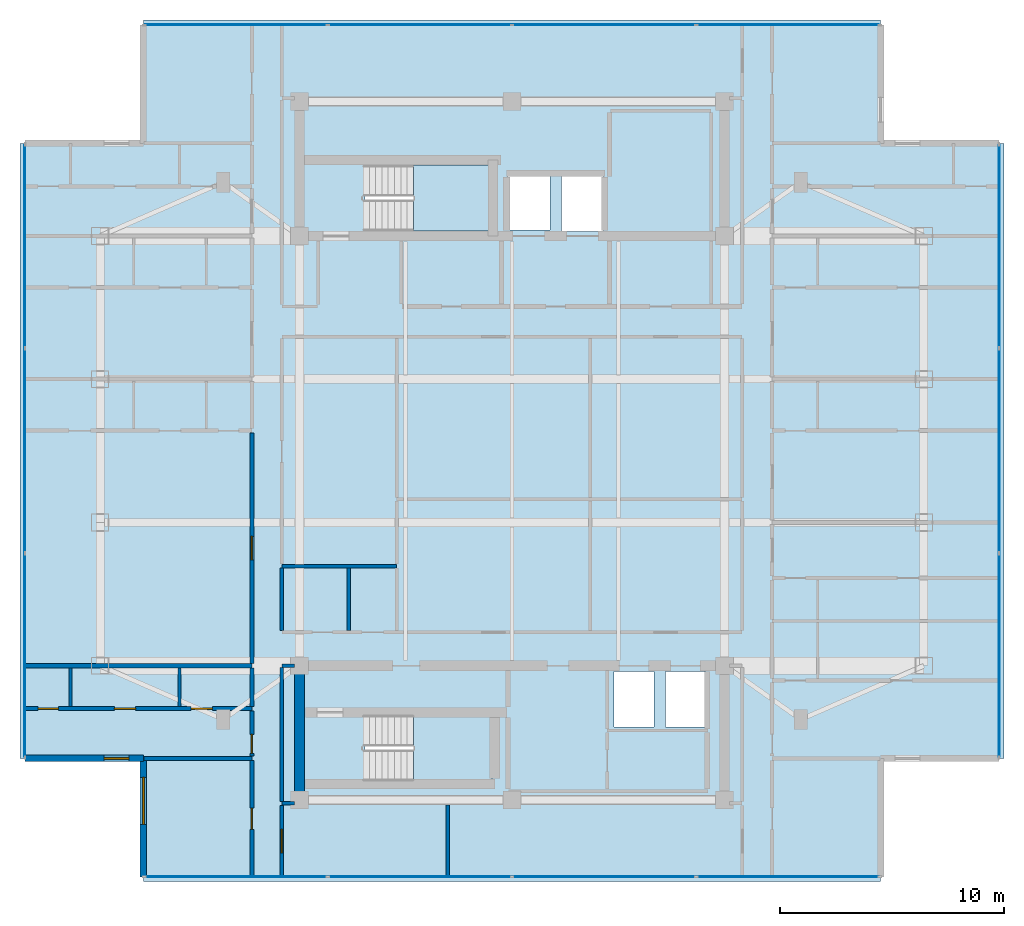
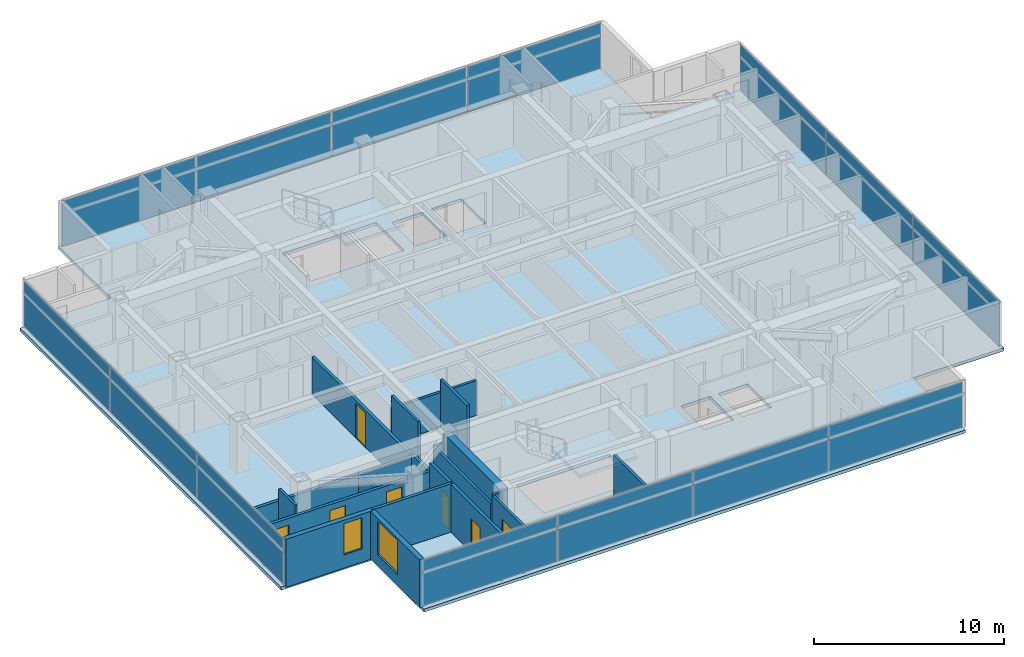
# One storey, part 7 of 14: 20 walls, 14 plates, 7 doors, 3 slabs, 2 windows, 9 openings, 6 elements without a shape of their own.
"""IFC4 building model written with IfcOpenShell, lengths in metres."""

from ifc_helpers import new_model, si_unit, direction, frame, frame_2d, origin, origin_2d, place, context, subcontext, project, spatial, polyline, rectangle, outline, extrude, material, layer, layer_set, type_object, element, fill, aggregate, save


model = new_model("IFC4")

# Units and contexts
model_context = context("Model", 3, precision=1e-05, world=origin(), true_north=direction((0.0, 1.0)))
body_context = subcontext(model_context, "Body", "Model", "MODEL_VIEW")
ifc_project = project(units=[si_unit("LENGTHUNIT", "METRE"), si_unit("AREAUNIT", "SQUARE_METRE"), si_unit("VOLUMEUNIT", "CUBIC_METRE"), si_unit("PLANEANGLEUNIT", "RADIAN"), si_unit("MASSUNIT", "GRAM", prefix="KILO")], contexts=[model_context])

# Site, building, storey
site_placement = place(None, origin())
site = spatial("IfcSite", under=ifc_project, at=site_placement, CompositionType="ELEMENT")
building_placement = place(site_placement, origin())
building = spatial("IfcBuilding", under=site, at=building_placement, Name="Mirazonda Arch Towers", CompositionType="ELEMENT")
storey_placement = place(building_placement, frame((0.0, 0.0, 239.199951171875)))
storey = spatial("IfcBuildingStorey", under=building, at=storey_placement, Name="L68", CompositionType="ELEMENT", Elevation=239.199951171875)

# Curtain wall, plates
ifc_material_1 = material(Name="Anodised Aluminium and Low-E Glass", Category="aluminium")
curtain_wall_type = type_object("IfcCurtainWallType", Name="CW-RES-UNIT", PredefinedType="NOTDEFINED", material=ifc_material_1)
curtain_wall_1_placement = place(storey_placement, origin())
curtain_wall_1 = element("IfcCurtainWall", 1, at=curtain_wall_1_placement, inside=storey, type_object=curtain_wall_type, Name="L68 T1 S Facade CW-L68-T1-S", PredefinedType="NOTDEFINED")
ifc_material_2 = material(Name="Insulated Low-E Solar Glass", Category="glass")
ifc_layer_1 = layer(ifc_material_2, 0.0400390625, Name="PAN-CW-RES-UNIT")
ifc_layer_set_1 = layer_set([ifc_layer_1], Name="Insulated Low-E Solar Glass")
plate_type = type_object("IfcPlateType", Name="PAN-CW-RES-UNIT", PredefinedType="CURTAIN_PANEL", material=ifc_layer_set_1)
plate_1_placement = place(storey_placement, frame((32.833740234375, 8.971923828125, 0.0751953125), z_axis=(0.0, 0.0, 1.0), x_axis=(-1.0, 0.0, 0.0)))
plate_1 = element("IfcPlate", 2, at=plate_1_placement, type_object=plate_type, Name="CW-104 panel 1.1", PredefinedType="CURTAIN_PANEL", context=body_context, shape_type="SweptSolid", body=[
    extrude(rectangle(XDim=8.12255859375, YDim=0.0400390625, at=origin_2d()), origin(), (0.0, 0.0, 1.0), 2.929931640625),
])
plate_2_placement = place(storey_placement, frame((24.617431640625, 8.971923828125, 0.0751953125), z_axis=(0.0, 0.0, 1.0), x_axis=(-1.0, 0.0, 0.0)))
plate_2 = element("IfcPlate", 3, at=plate_2_placement, type_object=plate_type, Name="CW-104 panel 2.1", PredefinedType="CURTAIN_PANEL", context=body_context, shape_type="SweptSolid", body=[
    extrude(rectangle(XDim=8.159912109375, YDim=0.0400390625, at=origin_2d()), origin(), (0.0, 0.0, 1.0), 2.929931640625),
])
plate_3_placement = place(storey_placement, frame((16.382568359375, 8.971923828125, 0.0751953125), z_axis=(0.0, 0.0, 1.0), x_axis=(-1.0, 0.0, 0.0)))
plate_3 = element("IfcPlate", 4, at=plate_3_placement, type_object=plate_type, Name="CW-104 panel 3.1", PredefinedType="CURTAIN_PANEL", context=body_context, shape_type="SweptSolid", body=[
    extrude(rectangle(XDim=8.159912109375, YDim=0.0400390625, at=origin_2d()), origin(), (0.0, 0.0, 1.0), 2.929931640625),
])
plate_4_placement = place(storey_placement, frame((8.166259765625, 8.971923828125, 0.0751953125), z_axis=(0.0, 0.0, 1.0), x_axis=(-1.0, 0.0, 0.0)))
plate_4 = element("IfcPlate", 5, at=plate_4_placement, type_object=plate_type, Name="CW-104 panel 4.1", PredefinedType="CURTAIN_PANEL", context=body_context, shape_type="SweptSolid", body=[
    extrude(rectangle(XDim=8.12255859375, YDim=0.0400390625, at=origin_2d()), origin(), (0.0, 0.0, 1.0), 2.929931640625),
])
aggregate(curtain_wall_1, [plate_1, plate_2, plate_3, plate_4])

curtain_wall_2_placement = place(storey_placement, origin())
curtain_wall_2 = element("IfcCurtainWall", 6, at=curtain_wall_2_placement, inside=storey, type_object=curtain_wall_type, Name="L68 T1 E Facade CW-L68-T1-E", PredefinedType="NOTDEFINED")
plate_5_placement = place(storey_placement, frame((42.260009765625, 18.860107421875, 0.0751953125), z_axis=(0.0, 0.0, 1.0), x_axis=(0.0, 1.0, 0.0)))
plate_5 = element("IfcPlate", 7, at=plate_5_placement, type_object=plate_type, Name="CW-104 panel 1.1", PredefinedType="CURTAIN_PANEL", context=body_context, shape_type="SweptSolid", body=[
    extrude(rectangle(XDim=9.046142578125, YDim=0.0400390625, at=origin_2d()), origin(), (0.0, 0.0, 1.0), 2.929931640625),
])
plate_6_placement = place(storey_placement, frame((42.260009765625, 28.0, 0.0751953125), z_axis=(0.0, 0.0, 1.0), x_axis=(0.0, 1.0, 0.0)))
plate_6 = element("IfcPlate", 8, at=plate_6_placement, type_object=plate_type, Name="CW-104 panel 2.1", PredefinedType="CURTAIN_PANEL", context=body_context, shape_type="SweptSolid", body=[
    extrude(rectangle(XDim=9.083740234375, YDim=0.0400390625, at=origin_2d()), origin(), (0.0, 0.0, 1.0), 2.929931640625),
])
plate_7_placement = place(storey_placement, frame((42.260009765625, 37.139892578125, 0.0751953125), z_axis=(0.0, 0.0, 1.0), x_axis=(0.0, 1.0, 0.0)))
plate_7 = element("IfcPlate", 9, at=plate_7_placement, type_object=plate_type, Name="CW-104 panel 3.1", PredefinedType="CURTAIN_PANEL", context=body_context, shape_type="SweptSolid", body=[
    extrude(rectangle(XDim=9.046142578125, YDim=0.0400390625, at=origin_2d()), origin(), (0.0, 0.0, 1.0), 2.929931640625),
])
aggregate(curtain_wall_2, [plate_5, plate_6, plate_7])

curtain_wall_3_placement = place(storey_placement, origin())
curtain_wall_3 = element("IfcCurtainWall", 10, at=curtain_wall_3_placement, inside=storey, type_object=curtain_wall_type, Name="L68 T1 N Facade CW-L68-T1-N", PredefinedType="NOTDEFINED")
plate_8_placement = place(storey_placement, frame((8.166259765625, 47.028076171875, 0.0751953125), z_axis=(0.0, 0.0, 1.0), x_axis=(1.0, 0.0, 0.0)))
plate_8 = element("IfcPlate", 11, at=plate_8_placement, type_object=plate_type, Name="CW-104 panel 1.1", PredefinedType="CURTAIN_PANEL", context=body_context, shape_type="SweptSolid", body=[
    extrude(rectangle(XDim=8.12255859375, YDim=0.0400390625, at=origin_2d()), origin(), (0.0, 0.0, 1.0), 2.929931640625),
])
plate_9_placement = place(storey_placement, frame((16.382568359375, 47.028076171875, 0.0751953125), z_axis=(0.0, 0.0, 1.0), x_axis=(1.0, 0.0, 0.0)))
plate_9 = element("IfcPlate", 12, at=plate_9_placement, type_object=plate_type, Name="CW-104 panel 2.1", PredefinedType="CURTAIN_PANEL", context=body_context, shape_type="SweptSolid", body=[
    extrude(rectangle(XDim=8.159912109375, YDim=0.0400390625, at=origin_2d()), origin(), (0.0, 0.0, 1.0), 2.929931640625),
])
plate_10_placement = place(storey_placement, frame((24.617431640625, 47.028076171875, 0.0751953125), z_axis=(0.0, 0.0, 1.0), x_axis=(1.0, 0.0, 0.0)))
plate_10 = element("IfcPlate", 13, at=plate_10_placement, type_object=plate_type, Name="CW-104 panel 3.1", PredefinedType="CURTAIN_PANEL", context=body_context, shape_type="SweptSolid", body=[
    extrude(rectangle(XDim=8.159912109375, YDim=0.0400390625, at=origin_2d()), origin(), (0.0, 0.0, 1.0), 2.929931640625),
])
plate_11_placement = place(storey_placement, frame((32.833740234375, 47.028076171875, 0.0751953125), z_axis=(0.0, 0.0, 1.0), x_axis=(1.0, 0.0, 0.0)))
plate_11 = element("IfcPlate", 14, at=plate_11_placement, type_object=plate_type, Name="CW-104 panel 4.1", PredefinedType="CURTAIN_PANEL", context=body_context, shape_type="SweptSolid", body=[
    extrude(rectangle(XDim=8.12255859375, YDim=0.0400390625, at=origin_2d()), origin(), (0.0, 0.0, 1.0), 2.929931640625),
])
aggregate(curtain_wall_3, [plate_8, plate_9, plate_10, plate_11])

curtain_wall_4_placement = place(storey_placement, origin())
curtain_wall_4 = element("IfcCurtainWall", 15, at=curtain_wall_4_placement, inside=storey, type_object=curtain_wall_type, Name="L68 T1 W Facade CW-L68-T1-W", PredefinedType="NOTDEFINED")
plate_12_placement = place(storey_placement, frame((-1.260009765625, 37.139892578125, 0.0751953125), z_axis=(0.0, 0.0, 1.0), x_axis=(0.0, -1.0, 0.0)))
plate_12 = element("IfcPlate", 16, at=plate_12_placement, type_object=plate_type, Name="CW-104 panel 1.1", PredefinedType="CURTAIN_PANEL", context=body_context, shape_type="SweptSolid", body=[
    extrude(rectangle(XDim=9.046142578125, YDim=0.0400390625, at=origin_2d()), origin(), (0.0, 0.0, 1.0), 2.929931640625),
])
plate_13_placement = place(storey_placement, frame((-1.260009765625, 28.0, 0.0751953125), z_axis=(0.0, 0.0, 1.0), x_axis=(0.0, -1.0, 0.0)))
plate_13 = element("IfcPlate", 17, at=plate_13_placement, type_object=plate_type, Name="CW-104 panel 2.1", PredefinedType="CURTAIN_PANEL", context=body_context, shape_type="SweptSolid", body=[
    extrude(rectangle(XDim=9.083740234375, YDim=0.0400390625, at=origin_2d()), origin(), (0.0, 0.0, 1.0), 2.929931640625),
])
plate_14_placement = place(storey_placement, frame((-1.260009765625, 18.860107421875, 0.0751953125), z_axis=(0.0, 0.0, 1.0), x_axis=(0.0, -1.0, 0.0)))
plate_14 = element("IfcPlate", 18, at=plate_14_placement, type_object=plate_type, Name="CW-104 panel 3.1", PredefinedType="CURTAIN_PANEL", context=body_context, shape_type="SweptSolid", body=[
    extrude(rectangle(XDim=9.046142578125, YDim=0.0400390625, at=origin_2d()), origin(), (0.0, 0.0, 1.0), 2.929931640625),
])
aggregate(curtain_wall_4, [plate_12, plate_13, plate_14])

# Stair, slab
ifc_material_3 = material(Name="Concrete C40/50", Category="concrete")
stair_type = type_object("IfcStairType", Name="STAIR-CORE-1400", PredefinedType="HALF_TURN_STAIR", material=ifc_material_3)
stair_1_placement = place(storey_placement, origin())
stair_1 = element("IfcStair", 19, at=stair_1_placement, inside=storey, type_object=stair_type, Name="L68 Protected Exit Stair ST-T1N", PredefinedType="HALF_TURN_STAIR")
ifc_layer_2 = layer(ifc_material_3, 0.18994140625, Name="SLAB-LANDING-190")
ifc_layer_set_2 = layer_set([ifc_layer_2], Name="Concrete C40/50")
slab_type_1 = type_object("IfcSlabType", Name="SLAB-LANDING-190", PredefinedType="LANDING", material=ifc_layer_set_2)
slab_1_placement = place(storey_placement, frame((0.0, 0.0, 1.449951171875)))
slab_1 = element("IfcSlab", 20, at=slab_1_placement, type_object=slab_type_1, Name="ST-T1N landing 1", PredefinedType="LANDING", context=body_context, shape_type="SweptSolid", body=[
    extrude(outline(polyline([(16.090087890625, 37.820068359375), (19.60009765625, 37.820068359375), (19.60009765625, 40.760009765625), (16.090087890625, 40.760009765625), (16.090087890625, 37.820068359375)])), origin(), (0.0, 0.0, 1.0), 0.2001953125),
])
aggregate(stair_1, [slab_1])

stair_2_placement = place(storey_placement, origin())
stair_2 = element("IfcStair", 21, at=stair_2_placement, inside=storey, type_object=stair_type, Name="L68 Protected Exit Stair ST-T1S", PredefinedType="HALF_TURN_STAIR")
slab_2_placement = place(storey_placement, frame((0.0, 0.0, 1.449951171875)))
slab_2 = element("IfcSlab", 22, at=slab_2_placement, type_object=slab_type_1, Name="ST-T1S landing 1", PredefinedType="LANDING", context=body_context, shape_type="SweptSolid", body=[
    extrude(outline(polyline([(16.090087890625, 13.25), (19.60009765625, 13.25), (19.60009765625, 16.18994140625), (16.090087890625, 16.18994140625), (16.090087890625, 13.25)])), origin(), (0.0, 0.0, 1.0), 0.2001953125),
])
aggregate(stair_2, [slab_2])

# Slab
ifc_layer_3 = layer(ifc_material_3, 0.199951171875, Name="SLAB-TWR-200")
ifc_layer_set_3 = layer_set([ifc_layer_3], Name="Concrete C40/50")
slab_type_2 = type_object("IfcSlabType", Name="SLAB-TWR-200", PredefinedType="FLOOR", material=ifc_layer_set_3)
slab_3_placement = place(storey_placement, frame((0.0, 0.0, -0.199951171875)))
element("IfcSlab", 23, at=slab_3_placement, inside=storey, type_object=slab_type_2, Name="L68 Tower 1 Floor Slab", PredefinedType="FLOOR", context=body_context, shape_type="SweptSolid", body=[
    extrude(outline(polyline([(4.030029296875, 8.751953125), (36.969970703125, 8.751953125), (36.969970703125, 14.261962890625), (42.47998046875, 14.261962890625), (42.47998046875, 41.738037109375), (36.969970703125, 41.738037109375), (36.969970703125, 47.248046875), (4.030029296875, 47.248046875), (4.030029296875, 41.738037109375), (-1.47998046875, 41.738037109375), (-1.47998046875, 14.261962890625), (4.030029296875, 14.261962890625), (4.030029296875, 8.751953125)]), holes=[polyline([(27.360107421875, 18.139892578125), (29.139892578125, 18.139892578125), (29.139892578125, 15.659912109375), (27.360107421875, 15.659912109375), (27.360107421875, 18.139892578125)]), polyline([(25.06005859375, 18.139892578125), (26.840087890625, 18.139892578125), (26.840087890625, 15.659912109375), (25.06005859375, 15.659912109375), (25.06005859375, 18.139892578125)]), polyline([(22.7099609375, 40.389892578125), (24.590087890625, 40.389892578125), (24.590087890625, 37.81005859375), (22.7099609375, 37.81005859375), (22.7099609375, 40.389892578125)]), polyline([(20.31005859375, 37.860107421875), (20.31005859375, 40.340087890625), (22.18994140625, 40.340087890625), (22.18994140625, 37.860107421875), (20.31005859375, 37.860107421875)]), polyline([(19.60009765625, 13.25), (13.925048828125, 13.25), (13.925048828125, 16.18994140625), (19.60009765625, 16.18994140625), (19.60009765625, 13.25)]), polyline([(13.925048828125, 37.820068359375), (13.925048828125, 40.760009765625), (19.60009765625, 40.760009765625), (19.60009765625, 37.820068359375), (13.925048828125, 37.820068359375)])]), origin(), (0.0, 0.0, 1.0), 0.199951171875),
])

# Wall
ifc_material_4 = material(Name="Concrete C50/60", Category="concrete")
ifc_layer_4 = layer(ifc_material_4, 0.449951171875, Name="WALL-CORE-450")
ifc_layer_set_4 = layer_set([ifc_layer_4], Name="Concrete C50/60")
wall_type_1 = type_object("IfcWallType", Name="WALL-CORE-450", PredefinedType="SHEAR", material=ifc_layer_set_4)
wall_1_placement = place(storey_placement, frame((11.0, 12.39990234375, 0.0), z_axis=(0.0, 0.0, 1.0), x_axis=(0.0, 1.0, 0.0)))
element("IfcWall", 24, at=wall_1_placement, inside=storey, type_object=wall_type_1, Name="L68 T1S-W Core Shear Wall", PredefinedType="SHEAR", context=body_context, shape_type="SweptSolid", body=[
    extrude(rectangle(XDim=6.0, YDim=0.449951171875, at=frame_2d((3.0, 0.0))), origin(), (0.0, 0.0, 1.0), 3.10009765625),
])

# Wall, opening, window
ifc_material_5 = material(Name="Precast Concrete C40/50", Category="concrete")
ifc_layer_5 = layer(ifc_material_5, 0.280029296875, Name="WALL-EXT-WALL-280")
ifc_layer_set_5 = layer_set([ifc_layer_5], Name="Precast Concrete C40/50")
wall_type_2 = type_object("IfcWallType", Name="WALL-EXT-WALL-280", PredefinedType="SOLIDWALL", material=ifc_layer_set_5)
wall_2_placement = place(storey_placement, frame((4.030029296875, 14.261962890625, 0.0), z_axis=(0.0, 0.0, 1.0), x_axis=(0.0, -1.0, 0.0)))
wall_2 = element("IfcWall", 25, at=wall_2_placement, inside=storey, type_object=wall_type_2, Name="L68 T1 Notched SW Corner Wall WL-L68-T1-CSW", PredefinedType="SOLIDWALL", context=body_context, shape_type="SweptSolid", body=[
    extrude(rectangle(XDim=5.2900390625, YDim=0.280029296875, at=frame_2d((2.64501953125, 0.0))), origin(), (0.0, 0.0, 1.0), 3.080078125),
])
opening_1_placement = place(wall_2_placement, frame((0.85009765625, 0.0, 0.72998046875)))
opening_1 = element("IfcOpeningElement", 26, at=opening_1_placement, cuts=wall_2, Name="Opening WN-117", PredefinedType="OPENING", context=body_context, shape_type="SweptSolid", body=[
    extrude(rectangle(XDim=2.10009765625, YDim=2.199951171875, at=frame_2d((1.050048828125, 1.10009765625))), frame((0.0, 0.14990234375, 0.0), z_axis=(0.0, -1.0, 0.0), x_axis=(1.0, 0.0, 0.0)), (0.0, 0.0, 1.0), 0.300048828125),
])
window_type_1 = type_object("IfcWindowType", Name="WIN-RES-2100x2200", PartitioningType="SINGLE_PANEL", PredefinedType="WINDOW", material=ifc_material_2)
window_1_placement = place(opening_1_placement, origin())
window_1 = element("IfcWindow", 27, at=window_1_placement, inside=storey, type_object=window_type_1, Name="L68 Punched Facade Window WN-L68-T1-CSW", OverallHeight=2.199951171875, OverallWidth=2.10009765625, PartitioningType="SINGLE_PANEL", PredefinedType="WINDOW", context=body_context, shape_type="SweptSolid", body=[
    extrude(rectangle(XDim=2.10009765625, YDim=2.199951171875, at=frame_2d((1.050048828125, 1.10009765625))), frame((0.0, 0.030029296875, 0.0), z_axis=(0.0, -1.0, 0.0), x_axis=(1.0, 0.0, 0.0)), (0.0, 0.0, 1.0), 0.06005859375),
])
fill(opening_1, window_1)

wall_3_placement = place(storey_placement, frame((-1.260009765625, 14.261962890625, 0.0), z_axis=(0.0, 0.0, 1.0), x_axis=(1.0, 0.0, 0.0)))
wall_3 = element("IfcWall", 28, at=wall_3_placement, inside=storey, type_object=wall_type_2, Name="L68 T1 Corner Notch Return Wall WL-L68-T1-CSW2", PredefinedType="SOLIDWALL", context=body_context, shape_type="SweptSolid", body=[
    extrude(rectangle(XDim=5.2900390625, YDim=0.280029296875, at=frame_2d((2.64501953125, 0.0))), origin(), (0.0, 0.0, 1.0), 3.080078125),
])
opening_2_placement = place(wall_3_placement, frame((3.5400390625, 0.0, 0.85009765625)))
opening_2 = element("IfcOpeningElement", 29, at=opening_2_placement, cuts=wall_3, Name="Opening WN-108", PredefinedType="OPENING", context=body_context, shape_type="SweptSolid", body=[
    extrude(rectangle(XDim=1.10009765625, YDim=2.0, at=frame_2d((0.550048828125, 1.0))), frame((0.0, 0.14990234375, 0.0), z_axis=(0.0, -1.0, 0.0), x_axis=(1.0, 0.0, 0.0)), (0.0, 0.0, 1.0), 0.300048828125),
])
window_type_2 = type_object("IfcWindowType", Name="WIN-NOTCH-1100x2000", PartitioningType="SINGLE_PANEL", PredefinedType="WINDOW", material=ifc_material_2)
window_2_placement = place(opening_2_placement, origin())
window_2 = element("IfcWindow", 30, at=window_2_placement, inside=storey, type_object=window_type_2, Name="L68 Punched Facade Window WN-L68-T1-CSW2", OverallHeight=2.0, OverallWidth=1.10009765625, PartitioningType="SINGLE_PANEL", PredefinedType="WINDOW", context=body_context, shape_type="SweptSolid", body=[
    extrude(rectangle(XDim=1.10009765625, YDim=2.0, at=frame_2d((0.550048828125, 1.0))), frame((0.0, 0.030029296875, 0.0), z_axis=(0.0, -1.0, 0.0), x_axis=(1.0, 0.0, 0.0)), (0.0, 0.0, 1.0), 0.06005859375),
])
fill(opening_2, window_2)

# Walls
ifc_material_6 = material(Name="Fire-Rated Gypsum Stud Partition")
ifc_layer_6 = layer(ifc_material_6, 0.14990234375, Name="WALL-PART-CORR-150")
ifc_layer_set_6 = layer_set([ifc_layer_6], Name="Fire-Rated Gypsum Stud Partition")
wall_type_3 = type_object("IfcWallType", Name="WALL-PART-CORR-150", PredefinedType="PARTITIONING", material=ifc_layer_set_6)
wall_4_placement = place(storey_placement, frame((10.219970703125, 12.25, 0.0), z_axis=(0.0, 0.0, 1.0), x_axis=(1.0, 0.0, 0.0)))
element("IfcWall", 31, at=wall_4_placement, inside=storey, type_object=wall_type_3, Name="L68 Interior Partition 001", PredefinedType="PARTITIONING", context=body_context, shape_type="SweptSolid", body=[
    extrude(rectangle(XDim=0.56005859375, YDim=0.14990234375, at=frame_2d((0.280029296875, 0.0))), origin(), (0.0, 0.0, 1.0), 3.10009765625),
])
wall_5_placement = place(storey_placement, frame((10.219970703125, 18.39990234375, 0.0), z_axis=(0.0, 0.0, 1.0), x_axis=(1.0, 0.0, 0.0)))
element("IfcWall", 32, at=wall_5_placement, inside=storey, type_object=wall_type_3, Name="L68 Interior Partition 012", PredefinedType="PARTITIONING", context=body_context, shape_type="SweptSolid", body=[
    extrude(rectangle(XDim=0.56005859375, YDim=0.14990234375, at=frame_2d((0.280029296875, 0.0))), origin(), (0.0, 0.0, 1.0), 2.491943359375),
])
wall_6_placement = place(storey_placement, frame((10.219970703125, 22.85009765625, 0.0), z_axis=(0.0, 0.0, 1.0), x_axis=(1.0, 0.0, 0.0)))
element("IfcWall", 33, at=wall_6_placement, inside=storey, type_object=wall_type_3, Name="L68 Interior Partition 017", PredefinedType="PARTITIONING", context=body_context, shape_type="SweptSolid", body=[
    extrude(rectangle(XDim=5.130126953125, YDim=0.14990234375, at=frame_2d((2.56494140625, 0.0))), origin(), (0.0, 0.0, 1.0), 2.236083984375),
])

# Wall, opening, door
wall_7_placement = place(storey_placement, frame((10.219970703125, 8.971923828125, 0.0), z_axis=(0.0, 0.0, 1.0), x_axis=(0.0, 1.0, 0.0)))
wall_7 = element("IfcWall", 34, at=wall_7_placement, inside=storey, type_object=wall_type_3, Name="L68 Interior Partition 057", PredefinedType="PARTITIONING", context=body_context, shape_type="SweptSolid", body=[
    extrude(rectangle(XDim=3.193115234375, YDim=0.14990234375, at=frame_2d((1.5966796875, 0.0))), origin(), (0.0, 0.0, 1.0), 3.10009765625),
])
opening_3_placement = place(wall_7_placement, frame((1.071533203125, 0.0, 0.0)))
opening_3 = element("IfcOpeningElement", 35, at=opening_3_placement, cuts=wall_7, Name="Opening DR-121", PredefinedType="OPENING", context=body_context, shape_type="SweptSolid", body=[
    extrude(rectangle(XDim=1.050048828125, YDim=2.199951171875, at=frame_2d((0.52490234375, 1.10009765625))), frame((0.0, 0.0849609375, 0.0), z_axis=(0.0, -1.0, 0.0), x_axis=(1.0, 0.0, 0.0)), (0.0, 0.0, 1.0), 0.169921875),
])
ifc_material_7 = material(Name="Architectural Brushed Steel S355", Category="steel")
door_type_1 = type_object("IfcDoorType", Name="DOOR-SUITE-FD60-1050", OperationType="NOTDEFINED", PredefinedType="DOOR", material=ifc_material_7)
door_1_placement = place(opening_3_placement, origin())
door_1 = element("IfcDoor", 36, at=door_1_placement, inside=storey, type_object=door_type_1, Name="L68 South Panoramic Study Minor Door", OperationType="SINGLE_SWING_RIGHT", OverallHeight=2.199951171875, OverallWidth=1.050048828125, PredefinedType="DOOR", context=body_context, shape_type="SweptSolid", body=[
    extrude(rectangle(XDim=1.050048828125, YDim=2.199951171875, at=frame_2d((0.52490234375, 1.10009765625))), frame((0.0, 0.02490234375, 0.0), z_axis=(0.0, -1.0, 0.0), x_axis=(1.0, 0.0, 0.0)), (0.0, 0.0, 1.0), 0.050048828125),
])
fill(opening_3, door_1)

# Walls
wall_8_placement = place(storey_placement, frame((10.219970703125, 12.3349609375, 0.0), z_axis=(0.0, 0.0, 1.0), x_axis=(0.0, 1.0, 0.0)))
element("IfcWall", 37, at=wall_8_placement, inside=storey, type_object=wall_type_3, Name="L68 Interior Partition 058", PredefinedType="PARTITIONING", context=body_context, shape_type="SweptSolid", body=[
    extrude(rectangle(XDim=5.97998046875, YDim=0.14990234375, at=frame_2d((2.989990234375, 0.0))), origin(), (0.0, 0.0, 1.0), 2.491943359375),
])
for number, where, z_axis, x_axis, name in (
    (38, (10.219970703125, 19.985107421875, 0.0), (0.0, 0.0, 1.0), (0.0, 1.0, 0.0), "L68 Interior Partition 059"),
    (39, (13.199951171875, 19.985107421875, 0.0), (0.0, 0.0, 1.0), (0.0, 1.0, 0.0), "L68 Interior Partition 064"),
):
    element("IfcWall", number, at=place(storey_placement, frame(where, z_axis=z_axis, x_axis=x_axis)), inside=storey, type_object=wall_type_3, Name=name, PredefinedType="PARTITIONING", context=body_context, shape_type="SweptSolid", body=[
        extrude(rectangle(XDim=2.77978515625, YDim=0.14990234375, at=frame_2d((1.389892578125, 0.0))), origin(), (0.0, 0.0, 1.0), 3.10009765625),
    ])
wall_9_placement = place(storey_placement, frame((17.6220703125, 8.971923828125, 0.0), z_axis=(0.0, 0.0, 1.0), x_axis=(0.0, 1.0, 0.0)))
element("IfcWall", 40, at=wall_9_placement, inside=storey, type_object=wall_type_3, Name="L68 Interior Partition 069", PredefinedType="PARTITIONING", context=body_context, shape_type="SweptSolid", body=[
    extrude(rectangle(XDim=3.2080078125, YDim=0.14990234375, at=frame_2d((1.60400390625, 0.0))), origin(), (0.0, 0.0, 1.0), 3.10009765625),
])
ifc_material_8 = material(Name="Fire-Rated Gypsum Twin-Stud Assembly")
ifc_layer_7 = layer(ifc_material_8, 0.179931640625, Name="WALL-PART-DEMISE-180")
ifc_layer_set_7 = layer_set([ifc_layer_7], Name="Fire-Rated Gypsum Twin-Stud Assembly")
wall_type_4 = type_object("IfcWallType", Name="WALL-PART-DEMISE-180", PredefinedType="PARTITIONING", material=ifc_layer_set_7)
wall_10_placement = place(storey_placement, frame((4.050048828125, 14.261962890625, 0.0), z_axis=(0.0, 0.0, 1.0), x_axis=(1.0, 0.0, 0.0)))
element("IfcWall", 41, at=wall_10_placement, inside=storey, type_object=wall_type_4, Name="L68 Interior Partition 005", PredefinedType="PARTITIONING", context=body_context, shape_type="SweptSolid", body=[
    extrude(rectangle(XDim=4.829833984375, YDim=0.179931640625, at=frame_2d((2.4150390625, 0.0))), origin(), (0.0, 0.0, 1.0), 3.10009765625),
])

# Wall, openings, doors
wall_11_placement = place(storey_placement, frame((-1.260009765625, 16.47998046875, 0.0), z_axis=(0.0, 0.0, 1.0), x_axis=(1.0, 0.0, 0.0)))
wall_11 = element("IfcWall", 42, at=wall_11_placement, inside=storey, type_object=wall_type_4, Name="L68 Interior Partition 009", PredefinedType="PARTITIONING", context=body_context, shape_type="SweptSolid", body=[
    extrude(rectangle(XDim=10.139892578125, YDim=0.179931640625, at=frame_2d((5.06982421875, 0.0))), origin(), (0.0, 0.0, 1.0), 2.54296875),
])
opening_4_placement = place(wall_11_placement, frame((3.9951171875, 0.0, 0.0)))
opening_4 = element("IfcOpeningElement", 43, at=opening_4_placement, cuts=wall_11, Name="Opening DR-104", PredefinedType="OPENING", context=body_context, shape_type="SweptSolid", body=[
    extrude(rectangle(XDim=0.949951171875, YDim=2.14990234375, at=frame_2d((0.47509765625, 1.074951171875))), frame((0.0, 0.099853515625, 0.0), z_axis=(0.0, -1.0, 0.0), x_axis=(1.0, 0.0, 0.0)), (0.0, 0.0, 1.0), 0.199951171875),
])
opening_5_placement = place(wall_11_placement, frame((7.425048828125, 0.0, 0.0)))
opening_5 = element("IfcOpeningElement", 44, at=opening_5_placement, cuts=wall_11, Name="Opening DR-104", PredefinedType="OPENING", context=body_context, shape_type="SweptSolid", body=[
    extrude(rectangle(XDim=0.949951171875, YDim=2.14990234375, at=frame_2d((0.47509765625, 1.074951171875))), frame((0.0, 0.099853515625, 0.0), z_axis=(0.0, -1.0, 0.0), x_axis=(1.0, 0.0, 0.0)), (0.0, 0.0, 1.0), 0.199951171875),
])
opening_6_placement = place(wall_11_placement, frame((0.590087890625, 0.0, 0.0)))
opening_6 = element("IfcOpeningElement", 45, at=opening_6_placement, cuts=wall_11, Name="Opening DR-120", PredefinedType="OPENING", context=body_context, shape_type="SweptSolid", body=[
    extrude(rectangle(XDim=0.89990234375, YDim=2.10009765625, at=frame_2d((0.449951171875, 1.050048828125))), frame((0.0, 0.099853515625, 0.0), z_axis=(0.0, -1.0, 0.0), x_axis=(1.0, 0.0, 0.0)), (0.0, 0.0, 1.0), 0.199951171875),
])
door_type_2 = type_object("IfcDoorType", Name="DOOR-ROOM-950", OperationType="NOTDEFINED", PredefinedType="DOOR", material=ifc_material_7)
door_2_placement = place(opening_4_placement, origin())
door_2 = element("IfcDoor", 46, at=door_2_placement, inside=storey, type_object=door_type_2, Name="L68 Residence 1 Principal Bedroom Door", OperationType="SINGLE_SWING_RIGHT", OverallHeight=2.14990234375, OverallWidth=0.949951171875, PredefinedType="DOOR", context=body_context, shape_type="SweptSolid", body=[
    extrude(rectangle(XDim=0.949951171875, YDim=2.14990234375, at=frame_2d((0.47509765625, 1.074951171875))), frame((0.0, 0.02490234375, 0.0), z_axis=(0.0, -1.0, 0.0), x_axis=(1.0, 0.0, 0.0)), (0.0, 0.0, 1.0), 0.050048828125),
])
fill(opening_4, door_2)
door_3_placement = place(opening_5_placement, origin())
door_3 = element("IfcDoor", 47, at=door_3_placement, inside=storey, type_object=door_type_2, Name="L68 Residence 1 Fitted Kitchen Door", OperationType="SINGLE_SWING_LEFT", OverallHeight=2.14990234375, OverallWidth=0.949951171875, PredefinedType="DOOR", context=body_context, shape_type="SweptSolid", body=[
    extrude(rectangle(XDim=0.949951171875, YDim=2.14990234375, at=frame_2d((0.47509765625, 1.074951171875))), frame((0.0, 0.02490234375, 0.0), z_axis=(0.0, -1.0, 0.0), x_axis=(1.0, 0.0, 0.0)), (0.0, 0.0, 1.0), 0.050048828125),
])
fill(opening_5, door_3)
door_type_3 = type_object("IfcDoorType", Name="DOOR-WC-900", OperationType="NOTDEFINED", PredefinedType="DOOR", material=ifc_material_7)
door_4_placement = place(opening_6_placement, origin())
door_4 = element("IfcDoor", 48, at=door_4_placement, inside=storey, type_object=door_type_3, Name="L68 Residence 1 Bathroom Door", OperationType="SINGLE_SWING_RIGHT", OverallHeight=2.10009765625, OverallWidth=0.89990234375, PredefinedType="DOOR", context=body_context, shape_type="SweptSolid", body=[
    extrude(rectangle(XDim=0.89990234375, YDim=2.10009765625, at=frame_2d((0.449951171875, 1.050048828125))), frame((0.0, 0.02490234375, 0.0), z_axis=(0.0, -1.0, 0.0), x_axis=(1.0, 0.0, 0.0)), (0.0, 0.0, 1.0), 0.050048828125),
])
fill(opening_6, door_4)

# Wall
wall_12_placement = place(storey_placement, frame((-1.260009765625, 18.39990234375, 0.0), z_axis=(0.0, 0.0, 1.0), x_axis=(1.0, 0.0, 0.0)))
element("IfcWall", 49, at=wall_12_placement, inside=storey, type_object=wall_type_4, Name="L68 Interior Partition 011", PredefinedType="PARTITIONING", context=body_context, shape_type="SweptSolid", body=[
    extrude(rectangle(XDim=10.139892578125, YDim=0.179931640625, at=frame_2d((5.06982421875, 0.0))), origin(), (0.0, 0.0, 1.0), 2.319091796875),
])

# Wall, opening, door
wall_13_placement = place(storey_placement, frame((8.8798828125, 8.971923828125, 0.0), z_axis=(0.0, 0.0, 1.0), x_axis=(0.0, 1.0, 0.0)))
wall_13 = element("IfcWall", 50, at=wall_13_placement, inside=storey, type_object=wall_type_4, Name="L68 Interior Partition 047", PredefinedType="PARTITIONING", context=body_context, shape_type="SweptSolid", body=[
    extrude(rectangle(XDim=5.190185546875, YDim=0.179931640625, at=frame_2d((2.59521484375, 0.0))), origin(), (0.0, 0.0, 1.0), 3.10009765625),
])
opening_7_placement = place(wall_13_placement, frame((2.1201171875, 0.0, 0.0)))
opening_7 = element("IfcOpeningElement", 51, at=opening_7_placement, cuts=wall_13, Name="Opening DR-104", PredefinedType="OPENING", context=body_context, shape_type="SweptSolid", body=[
    extrude(rectangle(XDim=0.949951171875, YDim=2.14990234375, at=frame_2d((0.47509765625, 1.074951171875))), frame((0.0, 0.099853515625, 0.0), z_axis=(0.0, -1.0, 0.0), x_axis=(1.0, 0.0, 0.0)), (0.0, 0.0, 1.0), 0.199951171875),
])
door_5_placement = place(opening_7_placement, origin())
door_5 = element("IfcDoor", 52, at=door_5_placement, inside=storey, type_object=door_type_2, Name="L68 South Panoramic Study Alcove West Door", OperationType="SINGLE_SWING_RIGHT", OverallHeight=2.14990234375, OverallWidth=0.949951171875, PredefinedType="DOOR", context=body_context, shape_type="SweptSolid", body=[
    extrude(rectangle(XDim=0.949951171875, YDim=2.14990234375, at=frame_2d((0.47509765625, 1.074951171875))), frame((0.0, 0.02490234375, 0.0), z_axis=(0.0, -1.0, 0.0), x_axis=(1.0, 0.0, 0.0)), (0.0, 0.0, 1.0), 0.050048828125),
])
fill(opening_7, door_5)

wall_14_placement = place(storey_placement, frame((8.8798828125, 14.362060546875, 0.0), z_axis=(0.0, 0.0, 1.0), x_axis=(0.0, 1.0, 0.0)))
wall_14 = element("IfcWall", 53, at=wall_14_placement, inside=storey, type_object=wall_type_4, Name="L68 Interior Partition 048", PredefinedType="PARTITIONING", context=body_context, shape_type="SweptSolid", body=[
    extrude(rectangle(XDim=2.017822265625, YDim=0.179931640625, at=frame_2d((1.0087890625, 0.0))), origin(), (0.0, 0.0, 1.0), 3.10009765625),
])
opening_8_placement = place(wall_14_placement, frame((0.1201171875, 0.0, 0.0)))
opening_8 = element("IfcOpeningElement", 54, at=opening_8_placement, cuts=wall_14, Name="Opening DR-128", PredefinedType="OPENING", context=body_context, shape_type="SweptSolid", body=[
    extrude(rectangle(XDim=0.85009765625, YDim=2.010009765625, at=frame_2d((0.425048828125, 1.0048828125))), frame((0.0, 0.099853515625, 0.0), z_axis=(0.0, -1.0, 0.0), x_axis=(1.0, 0.0, 0.0)), (0.0, 0.0, 1.0), 0.199951171875),
])
door_type_4 = type_object("IfcDoorType", Name="DOOR-RISER-FD60-850", OperationType="NOTDEFINED", PredefinedType="DOOR", material=ifc_material_7)
door_6_placement = place(opening_8_placement, origin())
door_6 = element("IfcDoor", 55, at=door_6_placement, inside=storey, type_object=door_type_4, Name="L68 Residence 1 Living & Dining Salon Door", OperationType="SINGLE_SWING_LEFT", OverallHeight=2.010009765625, OverallWidth=0.85009765625, PredefinedType="DOOR", context=body_context, shape_type="SweptSolid", body=[
    extrude(rectangle(XDim=0.85009765625, YDim=2.010009765625, at=frame_2d((0.425048828125, 1.0048828125))), frame((0.0, 0.02490234375, 0.0), z_axis=(0.0, -1.0, 0.0), x_axis=(1.0, 0.0, 0.0)), (0.0, 0.0, 1.0), 0.050048828125),
])
fill(opening_8, door_6)

# Wall
wall_15_placement = place(storey_placement, frame((8.8798828125, 16.580078125, 0.0), z_axis=(0.0, 0.0, 1.0), x_axis=(0.0, 1.0, 0.0)))
element("IfcWall", 56, at=wall_15_placement, inside=storey, type_object=wall_type_4, Name="L68 Interior Partition 049", PredefinedType="PARTITIONING", context=body_context, shape_type="SweptSolid", body=[
    extrude(rectangle(XDim=1.719970703125, YDim=0.179931640625, at=frame_2d((0.85986328125, 0.0))), origin(), (0.0, 0.0, 1.0), 2.491943359375),
])

# Wall, opening, door
wall_16_placement = place(storey_placement, frame((8.8798828125, 18.5, 0.0), z_axis=(0.0, 0.0, 1.0), x_axis=(0.0, 1.0, 0.0)))
wall_16 = element("IfcWall", 57, at=wall_16_placement, inside=storey, type_object=wall_type_4, Name="L68 Interior Partition 050", PredefinedType="PARTITIONING", context=body_context, shape_type="SweptSolid", body=[
    extrude(rectangle(XDim=10.300048828125, YDim=0.179931640625, at=frame_2d((5.14990234375, 0.0))), origin(), (0.0, 0.0, 1.0), 2.39599609375),
])
opening_9_placement = place(wall_16_placement, frame((4.625, 0.0, 0.0)))
opening_9 = element("IfcOpeningElement", 58, at=opening_9_placement, cuts=wall_16, Name="Opening DR-121", PredefinedType="OPENING", context=body_context, shape_type="SweptSolid", body=[
    extrude(rectangle(XDim=1.050048828125, YDim=2.199951171875, at=frame_2d((0.52490234375, 1.10009765625))), frame((0.0, 0.099853515625, 0.0), z_axis=(0.0, -1.0, 0.0), x_axis=(1.0, 0.0, 0.0)), (0.0, 0.0, 1.0), 0.199951171875),
])
door_7_placement = place(opening_9_placement, origin())
door_7 = element("IfcDoor", 59, at=door_7_placement, inside=storey, type_object=door_type_1, Name="L68 Penthouse Residence 2 Living & Dining Salon Door", OperationType="SINGLE_SWING_LEFT", OverallHeight=2.199951171875, OverallWidth=1.050048828125, PredefinedType="DOOR", context=body_context, shape_type="SweptSolid", body=[
    extrude(rectangle(XDim=1.050048828125, YDim=2.199951171875, at=frame_2d((0.52490234375, 1.10009765625))), frame((0.0, 0.02490234375, 0.0), z_axis=(0.0, -1.0, 0.0), x_axis=(1.0, 0.0, 0.0)), (0.0, 0.0, 1.0), 0.050048828125),
])
fill(opening_9, door_7)

# Walls
ifc_material_9 = material(Name="Acoustic Fire-Rated Gypsum Partition")
ifc_layer_8 = layer(ifc_material_9, 0.125, Name="WALL-PART-UNIT-125")
ifc_layer_set_8 = layer_set([ifc_layer_8], Name="Acoustic Fire-Rated Gypsum Partition")
wall_type_5 = type_object("IfcWallType", Name="WALL-PART-UNIT-125", PredefinedType="PARTITIONING", material=ifc_layer_set_8)
wall_17_placement = place(storey_placement, frame((0.780029296875, 16.580078125, 0.0), z_axis=(0.0, 0.0, 1.0), x_axis=(0.0, 1.0, 0.0)))
element("IfcWall", 60, at=wall_17_placement, inside=storey, type_object=wall_type_5, Name="L68 Interior Partition 039", PredefinedType="PARTITIONING", context=body_context, shape_type="SweptSolid", body=[
    extrude(rectangle(XDim=1.719970703125, YDim=0.125, at=frame_2d((0.85986328125, 0.0))), origin(), (0.0, 0.0, 1.0), 3.10009765625),
])
wall_18_placement = place(storey_placement, frame((5.639892578125, 16.580078125, 0.0), z_axis=(0.0, 0.0, 1.0), x_axis=(0.0, 1.0, 0.0)))
element("IfcWall", 61, at=wall_18_placement, inside=storey, type_object=wall_type_5, Name="L68 Interior Partition 043", PredefinedType="PARTITIONING", context=body_context, shape_type="SweptSolid", body=[
    extrude(rectangle(XDim=1.719970703125, YDim=0.125, at=frame_2d((0.85986328125, 0.0))), origin(), (0.0, 0.0, 1.0), 2.491943359375),
])

save(model, "model.ifc")
